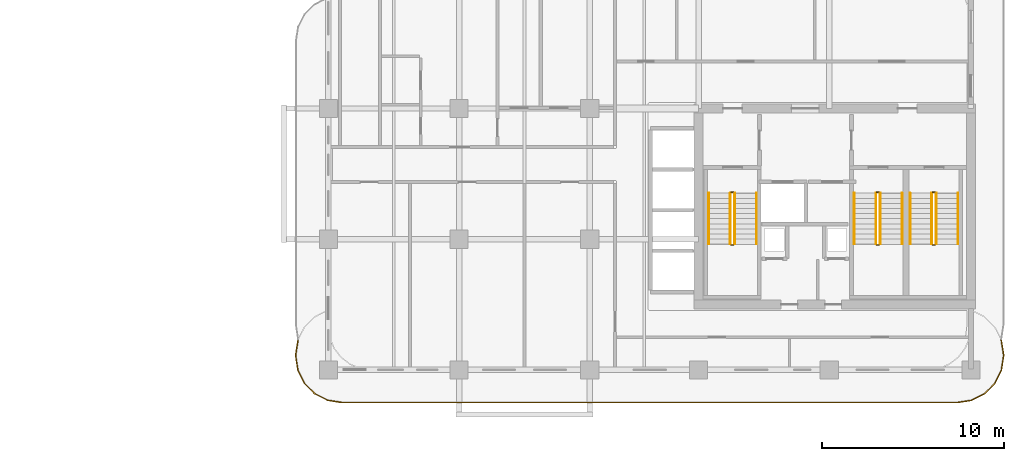
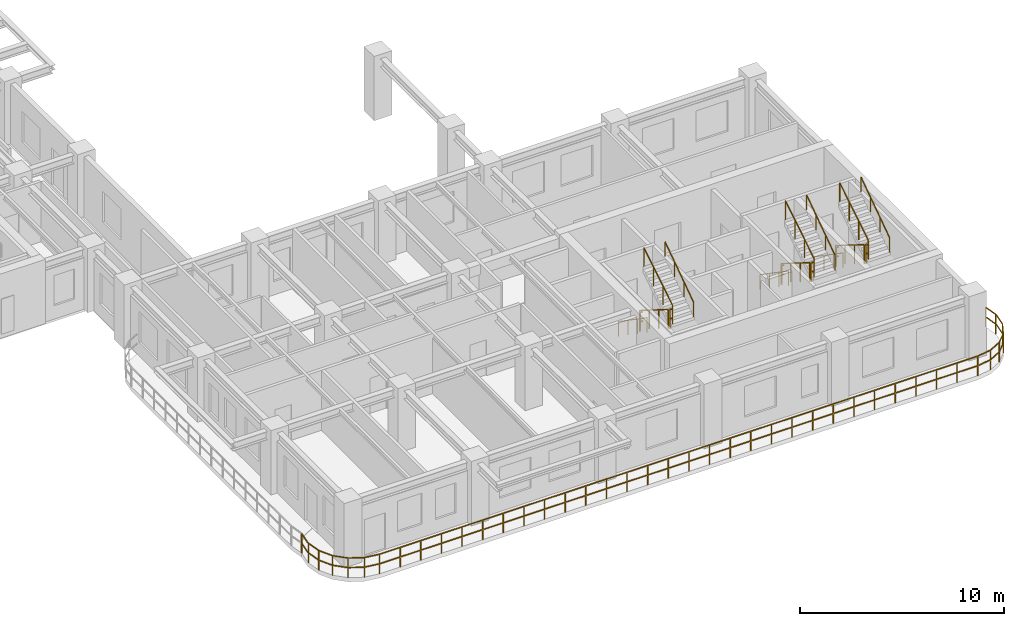
# One storey, part 11 of 13: 19 railings.
"""IFC4 building model written with IfcOpenShell, lengths in metres."""

from ifc_helpers import new_model, si_unit, derived_unit, direction, frame, origin, origin_2d, place, context, subcontext, project, spatial, rectangle, extrude, material, type_object, element, save


model = new_model("IFC4")

# Units and contexts
model_context = context("Model", 3, precision=1e-05, world=origin(), true_north=direction((0.0, 1.0)))
body_context = subcontext(model_context, "Body", "Model", "MODEL_VIEW")
ifc_project = project(units=[si_unit("LENGTHUNIT", "METRE"), si_unit("AREAUNIT", "SQUARE_METRE"), si_unit("VOLUMEUNIT", "CUBIC_METRE"), si_unit("PLANEANGLEUNIT", "RADIAN"), si_unit("MASSUNIT", "GRAM", prefix="KILO"), si_unit("THERMODYNAMICTEMPERATUREUNIT", "KELVIN"), si_unit("POWERUNIT", "WATT"), derived_unit("THERMALTRANSMITTANCEUNIT", [(si_unit("POWERUNIT", "WATT"), 1), (si_unit("AREAUNIT", "SQUARE_METRE"), -1), (si_unit("THERMODYNAMICTEMPERATUREUNIT", "KELVIN"), -1)])], contexts=[model_context])

# Site, building, storey
site_placement = place(None, origin())
site = spatial("IfcSite", under=ifc_project, at=site_placement, CompositionType="ELEMENT")
building_placement = place(site_placement, origin())
building = spatial("IfcBuilding", under=site, at=building_placement, Name="Zahravan Archway Hotel and Residences", CompositionType="ELEMENT")
storey_placement = place(building_placement, frame((0.0, 0.0, 181.10009765625)))
storey = spatial("IfcBuildingStorey", under=building, at=storey_placement, Name="L45", CompositionType="ELEMENT", Elevation=181.10009765625)

# Railings
ifc_material_1 = material(Name="Bronze & Laminated Glass Balustrade", Category="glass")
railing_type_1 = type_object("IfcRailingType", Name="RL-BAL-1200", PredefinedType="BALUSTRADE", material=ifc_material_1)
railing_1_placement = place(storey_placement, frame((51.47509765625, 1.637939453125, 0.0)))
element("IfcRailing", 1, at=railing_1_placement, inside=storey, type_object=railing_type_1, Name="L45 Balustrade RL-SLB-BAL-L45-SA-1", PredefinedType="BALUSTRADE", context=body_context, shape_type="SweptSolid", body=[
    extrude(rectangle(XDim=0.048095703125, YDim=0.048095703125, at=origin_2d()), frame((0.0, 0.0, 1.17578125), z_axis=(0.156701202656, -0.987646056584, 0.0), x_axis=(0.987646056584, 0.156701202656, 0.0)), (0.0, 0.0, 1.0), 0.797607421875),
    extrude(rectangle(XDim=0.048095703125, YDim=0.048095703125, at=origin_2d()), frame((0.0, 0.0, 0.60009765625), z_axis=(0.156701202656, -0.987646056584, 0.0), x_axis=(0.987646056584, 0.156701202656, 0.0)), (0.0, 0.0, 1.0), 0.797607421875),
    extrude(rectangle(XDim=0.048095703125, YDim=0.048095703125, at=origin_2d()), frame((0.125, -0.787841796875, 1.17578125), z_axis=(0.0, -1.0, 0.0), x_axis=(1.0, 0.0, 0.0)), (0.0, 0.0, 1.0), 0.10009765625),
    extrude(rectangle(XDim=0.048095703125, YDim=0.048095703125, at=origin_2d()), frame((0.125, -0.787841796875, 0.60009765625), z_axis=(0.0, -1.0, 0.0), x_axis=(1.0, 0.0, 0.0)), (0.0, 0.0, 1.0), 0.10009765625),
    extrude(rectangle(XDim=0.048095703125, YDim=0.048095703125, at=origin_2d()), frame((0.125, -0.887939453125, 1.17578125), z_axis=(-0.156653849773, -0.98765356849, 0.0), x_axis=(0.98765356849, -0.156653849773, 0.0)), (0.0, 0.0, 1.0), 0.7978515625),
    extrude(rectangle(XDim=0.048095703125, YDim=0.048095703125, at=origin_2d()), frame((0.125, -0.887939453125, 0.60009765625), z_axis=(-0.156653849773, -0.98765356849, 0.0), x_axis=(0.98765356849, -0.156653849773, 0.0)), (0.0, 0.0, 1.0), 0.7978515625),
    extrude(rectangle(XDim=0.048095703125, YDim=0.048095703125, at=origin_2d()), frame((0.0, -1.676025390625, 1.17578125), z_axis=(-0.453934952053, -0.891034824967, 0.0), x_axis=(0.891034824967, -0.453934952053, 0.0)), (0.0, 0.0, 1.0), 0.797607421875),
    extrude(rectangle(XDim=0.048095703125, YDim=0.048095703125, at=origin_2d()), frame((0.0, -1.676025390625, 0.60009765625), z_axis=(-0.453934952053, -0.891034824967, 0.0), x_axis=(0.891034824967, -0.453934952053, 0.0)), (0.0, 0.0, 1.0), 0.797607421875),
    extrude(rectangle(XDim=0.048095703125, YDim=0.048095703125, at=origin_2d()), frame((-0.362060546875, -2.38671875, 1.17578125), z_axis=(-0.707106781187, -0.707106781187, 0.0), x_axis=(0.707106781187, -0.707106781187, 0.0)), (0.0, 0.0, 1.0), 0.7978515625),
    extrude(rectangle(XDim=0.048095703125, YDim=0.048095703125, at=origin_2d()), frame((-0.362060546875, -2.38671875, 0.60009765625), z_axis=(-0.707106781187, -0.707106781187, 0.0), x_axis=(0.707106781187, -0.707106781187, 0.0)), (0.0, 0.0, 1.0), 0.7978515625),
    extrude(rectangle(XDim=0.048095703125, YDim=0.048095703125, at=origin_2d()), frame((-0.92626953125, -2.950927734375, 1.17578125), z_axis=(-0.890974108706, -0.454054113091, 0.0), x_axis=(0.454054113091, -0.890974108706, 0.0)), (0.0, 0.0, 1.0), 0.7978515625),
    extrude(rectangle(XDim=0.048095703125, YDim=0.048095703125, at=origin_2d()), frame((-0.92626953125, -2.950927734375, 0.60009765625), z_axis=(-0.890974108706, -0.454054113091, 0.0), x_axis=(0.454054113091, -0.890974108706, 0.0)), (0.0, 0.0, 1.0), 0.7978515625),
    extrude(rectangle(XDim=0.048095703125, YDim=0.048095703125, at=origin_2d()), frame((-1.63720703125, -3.313232421875, 1.17578125), z_axis=(-0.987693380745, -0.156402639467, 0.0), x_axis=(0.156402639467, -0.987693380745, 0.0)), (0.0, 0.0, 1.0), 0.797607421875),
    extrude(rectangle(XDim=0.048095703125, YDim=0.048095703125, at=origin_2d()), frame((-1.63720703125, -3.313232421875, 0.60009765625), z_axis=(-0.987693380745, -0.156402639467, 0.0), x_axis=(0.156402639467, -0.987693380745, 0.0)), (0.0, 0.0, 1.0), 0.797607421875),
    extrude(rectangle(XDim=0.048095703125, YDim=0.048095703125, at=origin_2d()), frame((-2.425048828125, -3.43798828125, 1.17578125), z_axis=(-1.0, 0.0, 0.0), x_axis=(0.0, -1.0, 0.0)), (0.0, 0.0, 1.0), 33.900146484375),
    extrude(rectangle(XDim=0.048095703125, YDim=0.048095703125, at=origin_2d()), frame((-2.425048828125, -3.43798828125, 0.60009765625), z_axis=(-1.0, 0.0, 0.0), x_axis=(0.0, -1.0, 0.0)), (0.0, 0.0, 1.0), 33.900146484375),
    extrude(rectangle(XDim=0.048095703125, YDim=0.048095703125, at=origin_2d()), frame((-36.3251953125, -3.43798828125, 1.17578125), z_axis=(-0.987693380745, 0.156402639467, 0.0), x_axis=(-0.156402639467, -0.987693380745, 0.0)), (0.0, 0.0, 1.0), 0.797607421875),
    extrude(rectangle(XDim=0.048095703125, YDim=0.048095703125, at=origin_2d()), frame((-36.3251953125, -3.43798828125, 0.60009765625), z_axis=(-0.987693380745, 0.156402639467, 0.0), x_axis=(-0.156402639467, -0.987693380745, 0.0)), (0.0, 0.0, 1.0), 0.797607421875),
    extrude(rectangle(XDim=0.048095703125, YDim=0.048095703125, at=origin_2d()), frame((-37.113037109375, -3.313232421875, 1.17578125), z_axis=(-0.890974108706, 0.454054113091, 0.0), x_axis=(-0.454054113091, -0.890974108706, 0.0)), (0.0, 0.0, 1.0), 0.7978515625),
    extrude(rectangle(XDim=0.048095703125, YDim=0.048095703125, at=origin_2d()), frame((-37.113037109375, -3.313232421875, 0.60009765625), z_axis=(-0.890974108706, 0.454054113091, 0.0), x_axis=(-0.454054113091, -0.890974108706, 0.0)), (0.0, 0.0, 1.0), 0.7978515625),
    extrude(rectangle(XDim=0.048095703125, YDim=0.048095703125, at=origin_2d()), frame((-37.823974609375, -2.950927734375, 1.17578125), z_axis=(-0.707106781187, 0.707106781187, 0.0), x_axis=(-0.707106781187, -0.707106781187, 0.0)), (0.0, 0.0, 1.0), 0.7978515625),
    extrude(rectangle(XDim=0.048095703125, YDim=0.048095703125, at=origin_2d()), frame((-37.823974609375, -2.950927734375, 0.60009765625), z_axis=(-0.707106781187, 0.707106781187, 0.0), x_axis=(-0.707106781187, -0.707106781187, 0.0)), (0.0, 0.0, 1.0), 0.7978515625),
    extrude(rectangle(XDim=0.048095703125, YDim=0.048095703125, at=origin_2d()), frame((-38.38818359375, -2.38671875, 1.17578125), z_axis=(-0.453934952053, 0.891034824967, 0.0), x_axis=(-0.891034824967, -0.453934952053, 0.0)), (0.0, 0.0, 1.0), 0.797607421875),
    extrude(rectangle(XDim=0.048095703125, YDim=0.048095703125, at=origin_2d()), frame((-38.38818359375, -2.38671875, 0.60009765625), z_axis=(-0.453934952053, 0.891034824967, 0.0), x_axis=(-0.891034824967, -0.453934952053, 0.0)), (0.0, 0.0, 1.0), 0.797607421875),
    extrude(rectangle(XDim=0.048095703125, YDim=0.048095703125, at=origin_2d()), frame((-38.750244140625, -1.676025390625, 1.17578125), z_axis=(-0.156355372278, 0.987700864412, 0.0), x_axis=(-0.987700864412, -0.156355372278, 0.0)), (0.0, 0.0, 1.0), 0.7978515625),
    extrude(rectangle(XDim=0.048095703125, YDim=0.048095703125, at=origin_2d()), frame((-38.750244140625, -1.676025390625, 0.60009765625), z_axis=(-0.156355372278, 0.987700864412, 0.0), x_axis=(-0.987700864412, -0.156355372278, 0.0)), (0.0, 0.0, 1.0), 0.7978515625),
    extrude(rectangle(XDim=0.048095703125, YDim=0.048095703125, at=origin_2d()), frame((-38.875, -0.887939453125, 1.17578125), z_axis=(0.0, 1.0, 0.0), x_axis=(-1.0, 0.0, 0.0)), (0.0, 0.0, 1.0), 0.10009765625),
    extrude(rectangle(XDim=0.048095703125, YDim=0.048095703125, at=origin_2d()), frame((-38.875, -0.887939453125, 0.60009765625), z_axis=(0.0, 1.0, 0.0), x_axis=(-1.0, 0.0, 0.0)), (0.0, 0.0, 1.0), 0.10009765625),
    extrude(rectangle(XDim=0.048095703125, YDim=0.048095703125, at=origin_2d()), frame((-38.875, -0.787841796875, 1.17578125), z_axis=(0.156402639467, 0.987693380745, 0.0), x_axis=(-0.987693380745, 0.156402639467, 0.0)), (0.0, 0.0, 1.0), 0.797607421875),
    extrude(rectangle(XDim=0.048095703125, YDim=0.048095703125, at=origin_2d()), frame((-38.875, -0.787841796875, 0.60009765625), z_axis=(0.156402639467, 0.987693380745, 0.0), x_axis=(-0.987693380745, 0.156402639467, 0.0)), (0.0, 0.0, 1.0), 0.797607421875),
    extrude(rectangle(XDim=0.0419921875, YDim=0.0419921875, at=origin_2d()), origin(), (0.0, 0.0, 1.0), 1.15185546875),
    extrude(rectangle(XDim=0.0419921875, YDim=0.0419921875, at=origin_2d()), frame((0.125, -0.787841796875, 0.0)), (0.0, 0.0, 1.0), 1.15185546875),
    extrude(rectangle(XDim=0.0419921875, YDim=0.0419921875, at=origin_2d()), frame((0.0, -1.676025390625, 0.0)), (0.0, 0.0, 1.0), 1.15185546875),
    extrude(rectangle(XDim=0.0419921875, YDim=0.0419921875, at=origin_2d()), frame((-0.362060546875, -2.38671875, 0.0)), (0.0, 0.0, 1.0), 1.15185546875),
    extrude(rectangle(XDim=0.0419921875, YDim=0.0419921875, at=origin_2d()), frame((-0.92626953125, -2.950927734375, 0.0)), (0.0, 0.0, 1.0), 1.15185546875),
    extrude(rectangle(XDim=0.0419921875, YDim=0.0419921875, at=origin_2d()), frame((-1.63720703125, -3.313232421875, 0.0)), (0.0, 0.0, 1.0), 1.15185546875),
    extrude(rectangle(XDim=0.0419921875, YDim=0.0419921875, at=origin_2d()), frame((-2.425048828125, -3.43798828125, 0.0)), (0.0, 0.0, 1.0), 1.15185546875),
    extrude(rectangle(XDim=0.0419921875, YDim=0.0419921875, at=origin_2d()), frame((-3.593994140625, -3.43798828125, 0.0)), (0.0, 0.0, 1.0), 1.15185546875),
    extrude(rectangle(XDim=0.0419921875, YDim=0.0419921875, at=origin_2d()), frame((-4.762939453125, -3.43798828125, 0.0)), (0.0, 0.0, 1.0), 1.15185546875),
    extrude(rectangle(XDim=0.0419921875, YDim=0.0419921875, at=origin_2d()), frame((-5.931884765625, -3.43798828125, 0.0)), (0.0, 0.0, 1.0), 1.15185546875),
    extrude(rectangle(XDim=0.0419921875, YDim=0.0419921875, at=origin_2d()), frame((-7.100830078125, -3.43798828125, 0.0)), (0.0, 0.0, 1.0), 1.15185546875),
    extrude(rectangle(XDim=0.0419921875, YDim=0.0419921875, at=origin_2d()), frame((-8.27001953125, -3.43798828125, 0.0)), (0.0, 0.0, 1.0), 1.15185546875),
    extrude(rectangle(XDim=0.0419921875, YDim=0.0419921875, at=origin_2d()), frame((-9.43896484375, -3.43798828125, 0.0)), (0.0, 0.0, 1.0), 1.15185546875),
    extrude(rectangle(XDim=0.0419921875, YDim=0.0419921875, at=origin_2d()), frame((-10.60791015625, -3.43798828125, 0.0)), (0.0, 0.0, 1.0), 1.15185546875),
    extrude(rectangle(XDim=0.0419921875, YDim=0.0419921875, at=origin_2d()), frame((-11.77685546875, -3.43798828125, 0.0)), (0.0, 0.0, 1.0), 1.15185546875),
    extrude(rectangle(XDim=0.0419921875, YDim=0.0419921875, at=origin_2d()), frame((-12.94580078125, -3.43798828125, 0.0)), (0.0, 0.0, 1.0), 1.15185546875),
    extrude(rectangle(XDim=0.0419921875, YDim=0.0419921875, at=origin_2d()), frame((-14.11474609375, -3.43798828125, 0.0)), (0.0, 0.0, 1.0), 1.15185546875),
    extrude(rectangle(XDim=0.0419921875, YDim=0.0419921875, at=origin_2d()), frame((-15.28369140625, -3.43798828125, 0.0)), (0.0, 0.0, 1.0), 1.15185546875),
    extrude(rectangle(XDim=0.0419921875, YDim=0.0419921875, at=origin_2d()), frame((-16.45263671875, -3.43798828125, 0.0)), (0.0, 0.0, 1.0), 1.15185546875),
    extrude(rectangle(XDim=0.0419921875, YDim=0.0419921875, at=origin_2d()), frame((-17.62158203125, -3.43798828125, 0.0)), (0.0, 0.0, 1.0), 1.15185546875),
    extrude(rectangle(XDim=0.0419921875, YDim=0.0419921875, at=origin_2d()), frame((-18.79052734375, -3.43798828125, 0.0)), (0.0, 0.0, 1.0), 1.15185546875),
    extrude(rectangle(XDim=0.0419921875, YDim=0.0419921875, at=origin_2d()), frame((-19.959716796875, -3.43798828125, 0.0)), (0.0, 0.0, 1.0), 1.15185546875),
    extrude(rectangle(XDim=0.0419921875, YDim=0.0419921875, at=origin_2d()), frame((-21.128662109375, -3.43798828125, 0.0)), (0.0, 0.0, 1.0), 1.15185546875),
    extrude(rectangle(XDim=0.0419921875, YDim=0.0419921875, at=origin_2d()), frame((-22.297607421875, -3.43798828125, 0.0)), (0.0, 0.0, 1.0), 1.15185546875),
    extrude(rectangle(XDim=0.0419921875, YDim=0.0419921875, at=origin_2d()), frame((-23.466552734375, -3.43798828125, 0.0)), (0.0, 0.0, 1.0), 1.15185546875),
    extrude(rectangle(XDim=0.0419921875, YDim=0.0419921875, at=origin_2d()), frame((-24.635498046875, -3.43798828125, 0.0)), (0.0, 0.0, 1.0), 1.15185546875),
    extrude(rectangle(XDim=0.0419921875, YDim=0.0419921875, at=origin_2d()), frame((-25.804443359375, -3.43798828125, 0.0)), (0.0, 0.0, 1.0), 1.15185546875),
    extrude(rectangle(XDim=0.0419921875, YDim=0.0419921875, at=origin_2d()), frame((-26.973388671875, -3.43798828125, 0.0)), (0.0, 0.0, 1.0), 1.15185546875),
    extrude(rectangle(XDim=0.0419921875, YDim=0.0419921875, at=origin_2d()), frame((-28.142333984375, -3.43798828125, 0.0)), (0.0, 0.0, 1.0), 1.15185546875),
    extrude(rectangle(XDim=0.0419921875, YDim=0.0419921875, at=origin_2d()), frame((-29.311279296875, -3.43798828125, 0.0)), (0.0, 0.0, 1.0), 1.15185546875),
    extrude(rectangle(XDim=0.0419921875, YDim=0.0419921875, at=origin_2d()), frame((-30.480224609375, -3.43798828125, 0.0)), (0.0, 0.0, 1.0), 1.15185546875),
    extrude(rectangle(XDim=0.0419921875, YDim=0.0419921875, at=origin_2d()), frame((-31.6494140625, -3.43798828125, 0.0)), (0.0, 0.0, 1.0), 1.15185546875),
    extrude(rectangle(XDim=0.0419921875, YDim=0.0419921875, at=origin_2d()), frame((-32.818359375, -3.43798828125, 0.0)), (0.0, 0.0, 1.0), 1.15185546875),
    extrude(rectangle(XDim=0.0419921875, YDim=0.0419921875, at=origin_2d()), frame((-33.9873046875, -3.43798828125, 0.0)), (0.0, 0.0, 1.0), 1.15185546875),
    extrude(rectangle(XDim=0.0419921875, YDim=0.0419921875, at=origin_2d()), frame((-35.15625, -3.43798828125, 0.0)), (0.0, 0.0, 1.0), 1.15185546875),
    extrude(rectangle(XDim=0.0419921875, YDim=0.0419921875, at=origin_2d()), frame((-36.3251953125, -3.43798828125, 0.0)), (0.0, 0.0, 1.0), 1.15185546875),
    extrude(rectangle(XDim=0.0419921875, YDim=0.0419921875, at=origin_2d()), frame((-37.113037109375, -3.313232421875, 0.0)), (0.0, 0.0, 1.0), 1.15185546875),
    extrude(rectangle(XDim=0.0419921875, YDim=0.0419921875, at=origin_2d()), frame((-37.823974609375, -2.950927734375, 0.0)), (0.0, 0.0, 1.0), 1.15185546875),
    extrude(rectangle(XDim=0.0419921875, YDim=0.0419921875, at=origin_2d()), frame((-38.38818359375, -2.38671875, 0.0)), (0.0, 0.0, 1.0), 1.15185546875),
    extrude(rectangle(XDim=0.0419921875, YDim=0.0419921875, at=origin_2d()), frame((-38.750244140625, -1.676025390625, 0.0)), (0.0, 0.0, 1.0), 1.15185546875),
    extrude(rectangle(XDim=0.0419921875, YDim=0.0419921875, at=origin_2d()), frame((-38.875, -0.887939453125, 0.0)), (0.0, 0.0, 1.0), 1.15185546875),
    extrude(rectangle(XDim=0.0419921875, YDim=0.0419921875, at=origin_2d()), frame((-38.750244140625, 0.0, 0.0)), (0.0, 0.0, 1.0), 1.15185546875),
])
ifc_material_2 = material(Name="Painted Tubular Steel", Category="steel")
railing_type_2 = type_object("IfcRailingType", Name="RL-STG-1150", PredefinedType="GUARDRAIL", material=ifc_material_2)
railing_2_placement = place(storey_placement, frame((36.550048828125, 9.72998046875, 0.1748046875)))
element("IfcRailing", 2, at=railing_2_placement, inside=storey, type_object=railing_type_2, Name="L45 ST-A1 stair guard 1", PredefinedType="GUARDRAIL", context=body_context, shape_type="SweptSolid", body=[
    extrude(rectangle(XDim=0.048095703125, YDim=0.048095703125, at=origin_2d()), frame((0.0, 0.0, 1.1259765625), z_axis=(0.0, -0.848002457836, 0.529992293815), x_axis=(1.0, 0.0, 0.0)), (0.0, 0.0, 1.0), 3.302001953125),
    extrude(rectangle(XDim=0.0419921875, YDim=0.0419921875, at=origin_2d()), origin(), (0.0, 0.0, 1.0), 1.101806640625),
    extrude(rectangle(XDim=0.0419921875, YDim=0.0419921875, at=origin_2d()), frame((0.0, -0.933349609375, 0.583251953125)), (0.0, 0.0, 1.0), 1.101806640625),
    extrude(rectangle(XDim=0.0419921875, YDim=0.0419921875, at=origin_2d()), frame((0.0, -1.86669921875, 1.166748046875)), (0.0, 0.0, 1.0), 1.101806640625),
    extrude(rectangle(XDim=0.0419921875, YDim=0.0419921875, at=origin_2d()), frame((0.0, -2.800048828125, 1.75)), (0.0, 0.0, 1.0), 1.101806640625),
])
railing_3_placement = place(storey_placement, frame((36.60009765625, 6.8798828125, 1.9248046875)))
element("IfcRailing", 3, at=railing_3_placement, inside=storey, type_object=railing_type_2, Name="L45 ST-A1 stair guard 2", PredefinedType="GUARDRAIL", context=body_context, shape_type="SweptSolid", body=[
    extrude(rectangle(XDim=0.048095703125, YDim=0.048095703125, at=origin_2d()), frame((0.0, 0.0, 1.1259765625), z_axis=(1.0, 0.0, 0.0), x_axis=(0.0, 1.0, 0.0)), (0.0, 0.0, 1.0), 0.139892578125),
    extrude(rectangle(XDim=0.048095703125, YDim=0.048095703125, at=origin_2d()), frame((0.0, 0.0, 0.574951171875), z_axis=(1.0, 0.0, 0.0), x_axis=(0.0, 1.0, 0.0)), (0.0, 0.0, 1.0), 0.139892578125),
    extrude(rectangle(XDim=0.0419921875, YDim=0.0419921875, at=origin_2d()), origin(), (0.0, 0.0, 1.0), 1.101806640625),
])
railing_4_placement = place(storey_placement, frame((36.7900390625, 6.929931640625, 2.099853515625)))
element("IfcRailing", 4, at=railing_4_placement, inside=storey, type_object=railing_type_2, Name="L45 ST-A1 stair guard 3", PredefinedType="GUARDRAIL", context=body_context, shape_type="SweptSolid", body=[
    extrude(rectangle(XDim=0.048095703125, YDim=0.048095703125, at=origin_2d()), frame((0.0, 0.0, 1.1259765625), z_axis=(0.0, 0.848002457836, 0.529992293815), x_axis=(-1.0, 0.0, 0.0)), (0.0, 0.0, 1.0), 3.302001953125),
    extrude(rectangle(XDim=0.0419921875, YDim=0.0419921875, at=origin_2d()), origin(), (0.0, 0.0, 1.0), 1.101806640625),
    extrude(rectangle(XDim=0.0419921875, YDim=0.0419921875, at=origin_2d()), frame((0.0, 0.933349609375, 0.583251953125)), (0.0, 0.0, 1.0), 1.101806640625),
    extrude(rectangle(XDim=0.0419921875, YDim=0.0419921875, at=origin_2d()), frame((0.0, 1.86669921875, 1.166748046875)), (0.0, 0.0, 1.0), 1.101806640625),
    extrude(rectangle(XDim=0.0419921875, YDim=0.0419921875, at=origin_2d()), frame((0.0, 2.800048828125, 1.75)), (0.0, 0.0, 1.0), 1.101806640625),
])
railing_5_placement = place(storey_placement, frame((36.60009765625, 9.780029296875, 0.0)))
element("IfcRailing", 5, at=railing_5_placement, inside=storey, type_object=railing_type_2, Name="L45 ST-A1 stair guard 4", PredefinedType="GUARDRAIL", context=body_context, shape_type="SweptSolid", body=[
    extrude(rectangle(XDim=0.048095703125, YDim=0.048095703125, at=origin_2d()), frame((0.0, 0.0, 1.1259765625), z_axis=(1.0, 0.0, 0.0), x_axis=(0.0, 1.0, 0.0)), (0.0, 0.0, 1.0), 0.139892578125),
    extrude(rectangle(XDim=0.048095703125, YDim=0.048095703125, at=origin_2d()), frame((0.0, 0.0, 0.574951171875), z_axis=(1.0, 0.0, 0.0), x_axis=(0.0, 1.0, 0.0)), (0.0, 0.0, 1.0), 0.139892578125),
    extrude(rectangle(XDim=0.0419921875, YDim=0.0419921875, at=origin_2d()), origin(), (0.0, 0.0, 1.0), 1.101806640625),
])
railing_6_placement = place(storey_placement, frame((44.570068359375, 9.72998046875, 0.1748046875)))
element("IfcRailing", 6, at=railing_6_placement, inside=storey, type_object=railing_type_2, Name="L45 ST-A2 stair guard 1", PredefinedType="GUARDRAIL", context=body_context, shape_type="SweptSolid", body=[
    extrude(rectangle(XDim=0.048095703125, YDim=0.048095703125, at=origin_2d()), frame((0.0, 0.0, 1.1259765625), z_axis=(0.0, -0.848002457836, 0.529992293815), x_axis=(1.0, 0.0, 0.0)), (0.0, 0.0, 1.0), 3.302001953125),
    extrude(rectangle(XDim=0.0419921875, YDim=0.0419921875, at=origin_2d()), origin(), (0.0, 0.0, 1.0), 1.101806640625),
    extrude(rectangle(XDim=0.0419921875, YDim=0.0419921875, at=origin_2d()), frame((0.0, -0.933349609375, 0.583251953125)), (0.0, 0.0, 1.0), 1.101806640625),
    extrude(rectangle(XDim=0.0419921875, YDim=0.0419921875, at=origin_2d()), frame((0.0, -1.86669921875, 1.166748046875)), (0.0, 0.0, 1.0), 1.101806640625),
    extrude(rectangle(XDim=0.0419921875, YDim=0.0419921875, at=origin_2d()), frame((0.0, -2.800048828125, 1.75)), (0.0, 0.0, 1.0), 1.101806640625),
])
railing_7_placement = place(storey_placement, frame((44.6201171875, 6.8798828125, 1.9248046875)))
element("IfcRailing", 7, at=railing_7_placement, inside=storey, type_object=railing_type_2, Name="L45 ST-A2 stair guard 2", PredefinedType="GUARDRAIL", context=body_context, shape_type="SweptSolid", body=[
    extrude(rectangle(XDim=0.048095703125, YDim=0.048095703125, at=origin_2d()), frame((0.0, 0.0, 1.1259765625), z_axis=(1.0, 0.0, 0.0), x_axis=(0.0, 1.0, 0.0)), (0.0, 0.0, 1.0), 0.139892578125),
    extrude(rectangle(XDim=0.048095703125, YDim=0.048095703125, at=origin_2d()), frame((0.0, 0.0, 0.574951171875), z_axis=(1.0, 0.0, 0.0), x_axis=(0.0, 1.0, 0.0)), (0.0, 0.0, 1.0), 0.139892578125),
    extrude(rectangle(XDim=0.0419921875, YDim=0.0419921875, at=origin_2d()), origin(), (0.0, 0.0, 1.0), 1.101806640625),
])
railing_8_placement = place(storey_placement, frame((44.81005859375, 6.929931640625, 2.099853515625)))
element("IfcRailing", 8, at=railing_8_placement, inside=storey, type_object=railing_type_2, Name="L45 ST-A2 stair guard 3", PredefinedType="GUARDRAIL", context=body_context, shape_type="SweptSolid", body=[
    extrude(rectangle(XDim=0.048095703125, YDim=0.048095703125, at=origin_2d()), frame((0.0, 0.0, 1.1259765625), z_axis=(0.0, 0.848002457836, 0.529992293815), x_axis=(-1.0, 0.0, 0.0)), (0.0, 0.0, 1.0), 3.302001953125),
    extrude(rectangle(XDim=0.0419921875, YDim=0.0419921875, at=origin_2d()), origin(), (0.0, 0.0, 1.0), 1.101806640625),
    extrude(rectangle(XDim=0.0419921875, YDim=0.0419921875, at=origin_2d()), frame((0.0, 0.933349609375, 0.583251953125)), (0.0, 0.0, 1.0), 1.101806640625),
    extrude(rectangle(XDim=0.0419921875, YDim=0.0419921875, at=origin_2d()), frame((0.0, 1.86669921875, 1.166748046875)), (0.0, 0.0, 1.0), 1.101806640625),
    extrude(rectangle(XDim=0.0419921875, YDim=0.0419921875, at=origin_2d()), frame((0.0, 2.800048828125, 1.75)), (0.0, 0.0, 1.0), 1.101806640625),
])
railing_9_placement = place(storey_placement, frame((44.6201171875, 9.780029296875, 0.0)))
element("IfcRailing", 9, at=railing_9_placement, inside=storey, type_object=railing_type_2, Name="L45 ST-A2 stair guard 4", PredefinedType="GUARDRAIL", context=body_context, shape_type="SweptSolid", body=[
    extrude(rectangle(XDim=0.048095703125, YDim=0.048095703125, at=origin_2d()), frame((0.0, 0.0, 1.1259765625), z_axis=(1.0, 0.0, 0.0), x_axis=(0.0, 1.0, 0.0)), (0.0, 0.0, 1.0), 0.139892578125),
    extrude(rectangle(XDim=0.048095703125, YDim=0.048095703125, at=origin_2d()), frame((0.0, 0.0, 0.574951171875), z_axis=(1.0, 0.0, 0.0), x_axis=(0.0, 1.0, 0.0)), (0.0, 0.0, 1.0), 0.139892578125),
    extrude(rectangle(XDim=0.0419921875, YDim=0.0419921875, at=origin_2d()), origin(), (0.0, 0.0, 1.0), 1.101806640625),
])
railing_10_placement = place(storey_placement, frame((47.64990234375, 9.72998046875, 0.1748046875)))
element("IfcRailing", 10, at=railing_10_placement, inside=storey, type_object=railing_type_2, Name="L45 ST-A3 stair guard 1", PredefinedType="GUARDRAIL", context=body_context, shape_type="SweptSolid", body=[
    extrude(rectangle(XDim=0.048095703125, YDim=0.048095703125, at=origin_2d()), frame((0.0, 0.0, 1.1259765625), z_axis=(0.0, -0.848002457836, 0.529992293815), x_axis=(1.0, 0.0, 0.0)), (0.0, 0.0, 1.0), 3.302001953125),
    extrude(rectangle(XDim=0.0419921875, YDim=0.0419921875, at=origin_2d()), origin(), (0.0, 0.0, 1.0), 1.101806640625),
    extrude(rectangle(XDim=0.0419921875, YDim=0.0419921875, at=origin_2d()), frame((0.0, -0.933349609375, 0.583251953125)), (0.0, 0.0, 1.0), 1.101806640625),
    extrude(rectangle(XDim=0.0419921875, YDim=0.0419921875, at=origin_2d()), frame((0.0, -1.86669921875, 1.166748046875)), (0.0, 0.0, 1.0), 1.101806640625),
    extrude(rectangle(XDim=0.0419921875, YDim=0.0419921875, at=origin_2d()), frame((0.0, -2.800048828125, 1.75)), (0.0, 0.0, 1.0), 1.101806640625),
])
railing_11_placement = place(storey_placement, frame((47.699951171875, 6.8798828125, 1.9248046875)))
element("IfcRailing", 11, at=railing_11_placement, inside=storey, type_object=railing_type_2, Name="L45 ST-A3 stair guard 2", PredefinedType="GUARDRAIL", context=body_context, shape_type="SweptSolid", body=[
    extrude(rectangle(XDim=0.048095703125, YDim=0.048095703125, at=origin_2d()), frame((0.0, 0.0, 1.1259765625), z_axis=(1.0, 0.0, 0.0), x_axis=(0.0, 1.0, 0.0)), (0.0, 0.0, 1.0), 0.14013671875),
    extrude(rectangle(XDim=0.048095703125, YDim=0.048095703125, at=origin_2d()), frame((0.0, 0.0, 0.574951171875), z_axis=(1.0, 0.0, 0.0), x_axis=(0.0, 1.0, 0.0)), (0.0, 0.0, 1.0), 0.14013671875),
    extrude(rectangle(XDim=0.0419921875, YDim=0.0419921875, at=origin_2d()), origin(), (0.0, 0.0, 1.0), 1.101806640625),
])
railing_12_placement = place(storey_placement, frame((47.889892578125, 6.929931640625, 2.099853515625)))
element("IfcRailing", 12, at=railing_12_placement, inside=storey, type_object=railing_type_2, Name="L45 ST-A3 stair guard 3", PredefinedType="GUARDRAIL", context=body_context, shape_type="SweptSolid", body=[
    extrude(rectangle(XDim=0.048095703125, YDim=0.048095703125, at=origin_2d()), frame((0.0, 0.0, 1.1259765625), z_axis=(0.0, 0.848002457836, 0.529992293815), x_axis=(-1.0, 0.0, 0.0)), (0.0, 0.0, 1.0), 3.302001953125),
    extrude(rectangle(XDim=0.0419921875, YDim=0.0419921875, at=origin_2d()), origin(), (0.0, 0.0, 1.0), 1.101806640625),
    extrude(rectangle(XDim=0.0419921875, YDim=0.0419921875, at=origin_2d()), frame((0.0, 0.933349609375, 0.583251953125)), (0.0, 0.0, 1.0), 1.101806640625),
    extrude(rectangle(XDim=0.0419921875, YDim=0.0419921875, at=origin_2d()), frame((0.0, 1.86669921875, 1.166748046875)), (0.0, 0.0, 1.0), 1.101806640625),
    extrude(rectangle(XDim=0.0419921875, YDim=0.0419921875, at=origin_2d()), frame((0.0, 2.800048828125, 1.75)), (0.0, 0.0, 1.0), 1.101806640625),
])
railing_13_placement = place(storey_placement, frame((47.699951171875, 9.780029296875, 0.0)))
element("IfcRailing", 13, at=railing_13_placement, inside=storey, type_object=railing_type_2, Name="L45 ST-A3 stair guard 4", PredefinedType="GUARDRAIL", context=body_context, shape_type="SweptSolid", body=[
    extrude(rectangle(XDim=0.048095703125, YDim=0.048095703125, at=origin_2d()), frame((0.0, 0.0, 1.1259765625), z_axis=(1.0, 0.0, 0.0), x_axis=(0.0, 1.0, 0.0)), (0.0, 0.0, 1.0), 0.14013671875),
    extrude(rectangle(XDim=0.048095703125, YDim=0.048095703125, at=origin_2d()), frame((0.0, 0.0, 0.574951171875), z_axis=(1.0, 0.0, 0.0), x_axis=(0.0, 1.0, 0.0)), (0.0, 0.0, 1.0), 0.14013671875),
    extrude(rectangle(XDim=0.0419921875, YDim=0.0419921875, at=origin_2d()), origin(), (0.0, 0.0, 1.0), 1.101806640625),
])
ifc_material_3 = material(Name="Brushed Stainless Steel", Category="steel")
railing_type_3 = type_object("IfcRailingType", Name="RL-STH-900", PredefinedType="HANDRAIL", material=ifc_material_3)
railing_14_placement = place(storey_placement, frame((35.35009765625, 9.72998046875, 0.1748046875)))
element("IfcRailing", 14, at=railing_14_placement, inside=storey, type_object=railing_type_3, Name="L45 ST-A1 stair handrail 1", PredefinedType="HANDRAIL", context=body_context, shape_type="SweptSolid", body=[
    extrude(rectangle(XDim=0.048095703125, YDim=0.048095703125, at=origin_2d()), frame((0.0, 0.0, 0.8759765625), z_axis=(0.0, -0.824039827795, 0.566531872191), x_axis=(1.0, 0.0, 0.0)), (0.0, 0.0, 1.0), 3.39794921875),
    extrude(rectangle(XDim=0.0419921875, YDim=0.0419921875, at=origin_2d()), origin(), (0.0, 0.0, 1.0), 0.851806640625),
    extrude(rectangle(XDim=0.0419921875, YDim=0.0419921875, at=origin_2d()), frame((0.0, -0.933349609375, 0.6416015625)), (0.0, 0.0, 1.0), 0.851806640625),
    extrude(rectangle(XDim=0.0419921875, YDim=0.0419921875, at=origin_2d()), frame((0.0, -1.86669921875, 1.283447265625)), (0.0, 0.0, 1.0), 0.851806640625),
    extrude(rectangle(XDim=0.0419921875, YDim=0.0419921875, at=origin_2d()), frame((0.0, -2.800048828125, 1.925048828125)), (0.0, 0.0, 1.0), 0.851806640625),
])
railing_15_placement = place(storey_placement, frame((37.989990234375, 6.929931640625, 2.099853515625)))
element("IfcRailing", 15, at=railing_15_placement, inside=storey, type_object=railing_type_3, Name="L45 ST-A1 stair handrail 2", PredefinedType="HANDRAIL", context=body_context, shape_type="SweptSolid", body=[
    extrude(rectangle(XDim=0.048095703125, YDim=0.048095703125, at=origin_2d()), frame((0.0, 0.0, 0.8759765625), z_axis=(0.0, 0.824039827795, 0.566531872191), x_axis=(-1.0, 0.0, 0.0)), (0.0, 0.0, 1.0), 3.39794921875),
    extrude(rectangle(XDim=0.0419921875, YDim=0.0419921875, at=origin_2d()), origin(), (0.0, 0.0, 1.0), 0.851806640625),
    extrude(rectangle(XDim=0.0419921875, YDim=0.0419921875, at=origin_2d()), frame((0.0, 0.933349609375, 0.6416015625)), (0.0, 0.0, 1.0), 0.851806640625),
    extrude(rectangle(XDim=0.0419921875, YDim=0.0419921875, at=origin_2d()), frame((0.0, 1.86669921875, 1.283447265625)), (0.0, 0.0, 1.0), 0.851806640625),
    extrude(rectangle(XDim=0.0419921875, YDim=0.0419921875, at=origin_2d()), frame((0.0, 2.800048828125, 1.925048828125)), (0.0, 0.0, 1.0), 0.851806640625),
])
railing_16_placement = place(storey_placement, frame((43.3701171875, 9.72998046875, 0.1748046875)))
element("IfcRailing", 16, at=railing_16_placement, inside=storey, type_object=railing_type_3, Name="L45 ST-A2 stair handrail 1", PredefinedType="HANDRAIL", context=body_context, shape_type="SweptSolid", body=[
    extrude(rectangle(XDim=0.048095703125, YDim=0.048095703125, at=origin_2d()), frame((0.0, 0.0, 0.8759765625), z_axis=(0.0, -0.824039827795, 0.566531872191), x_axis=(1.0, 0.0, 0.0)), (0.0, 0.0, 1.0), 3.39794921875),
    extrude(rectangle(XDim=0.0419921875, YDim=0.0419921875, at=origin_2d()), origin(), (0.0, 0.0, 1.0), 0.851806640625),
    extrude(rectangle(XDim=0.0419921875, YDim=0.0419921875, at=origin_2d()), frame((0.0, -0.933349609375, 0.6416015625)), (0.0, 0.0, 1.0), 0.851806640625),
    extrude(rectangle(XDim=0.0419921875, YDim=0.0419921875, at=origin_2d()), frame((0.0, -1.86669921875, 1.283447265625)), (0.0, 0.0, 1.0), 0.851806640625),
    extrude(rectangle(XDim=0.0419921875, YDim=0.0419921875, at=origin_2d()), frame((0.0, -2.800048828125, 1.925048828125)), (0.0, 0.0, 1.0), 0.851806640625),
])
railing_17_placement = place(storey_placement, frame((46.010009765625, 6.929931640625, 2.099853515625)))
element("IfcRailing", 17, at=railing_17_placement, inside=storey, type_object=railing_type_3, Name="L45 ST-A2 stair handrail 2", PredefinedType="HANDRAIL", context=body_context, shape_type="SweptSolid", body=[
    extrude(rectangle(XDim=0.048095703125, YDim=0.048095703125, at=origin_2d()), frame((0.0, 0.0, 0.8759765625), z_axis=(0.0, 0.824039827795, 0.566531872191), x_axis=(-1.0, 0.0, 0.0)), (0.0, 0.0, 1.0), 3.39794921875),
    extrude(rectangle(XDim=0.0419921875, YDim=0.0419921875, at=origin_2d()), origin(), (0.0, 0.0, 1.0), 0.851806640625),
    extrude(rectangle(XDim=0.0419921875, YDim=0.0419921875, at=origin_2d()), frame((0.0, 0.933349609375, 0.6416015625)), (0.0, 0.0, 1.0), 0.851806640625),
    extrude(rectangle(XDim=0.0419921875, YDim=0.0419921875, at=origin_2d()), frame((0.0, 1.86669921875, 1.283447265625)), (0.0, 0.0, 1.0), 0.851806640625),
    extrude(rectangle(XDim=0.0419921875, YDim=0.0419921875, at=origin_2d()), frame((0.0, 2.800048828125, 1.925048828125)), (0.0, 0.0, 1.0), 0.851806640625),
])
railing_18_placement = place(storey_placement, frame((46.449951171875, 9.72998046875, 0.1748046875)))
element("IfcRailing", 18, at=railing_18_placement, inside=storey, type_object=railing_type_3, Name="L45 ST-A3 stair handrail 1", PredefinedType="HANDRAIL", context=body_context, shape_type="SweptSolid", body=[
    extrude(rectangle(XDim=0.048095703125, YDim=0.048095703125, at=origin_2d()), frame((0.0, 0.0, 0.8759765625), z_axis=(0.0, -0.824039827795, 0.566531872191), x_axis=(1.0, 0.0, 0.0)), (0.0, 0.0, 1.0), 3.39794921875),
    extrude(rectangle(XDim=0.0419921875, YDim=0.0419921875, at=origin_2d()), origin(), (0.0, 0.0, 1.0), 0.851806640625),
    extrude(rectangle(XDim=0.0419921875, YDim=0.0419921875, at=origin_2d()), frame((0.0, -0.933349609375, 0.6416015625)), (0.0, 0.0, 1.0), 0.851806640625),
    extrude(rectangle(XDim=0.0419921875, YDim=0.0419921875, at=origin_2d()), frame((0.0, -1.86669921875, 1.283447265625)), (0.0, 0.0, 1.0), 0.851806640625),
    extrude(rectangle(XDim=0.0419921875, YDim=0.0419921875, at=origin_2d()), frame((0.0, -2.800048828125, 1.925048828125)), (0.0, 0.0, 1.0), 0.851806640625),
])
railing_19_placement = place(storey_placement, frame((49.090087890625, 6.929931640625, 2.099853515625)))
element("IfcRailing", 19, at=railing_19_placement, inside=storey, type_object=railing_type_3, Name="L45 ST-A3 stair handrail 2", PredefinedType="HANDRAIL", context=body_context, shape_type="SweptSolid", body=[
    extrude(rectangle(XDim=0.048095703125, YDim=0.048095703125, at=origin_2d()), frame((0.0, 0.0, 0.8759765625), z_axis=(0.0, 0.824039827795, 0.566531872191), x_axis=(-1.0, 0.0, 0.0)), (0.0, 0.0, 1.0), 3.39794921875),
    extrude(rectangle(XDim=0.0419921875, YDim=0.0419921875, at=origin_2d()), origin(), (0.0, 0.0, 1.0), 0.851806640625),
    extrude(rectangle(XDim=0.0419921875, YDim=0.0419921875, at=origin_2d()), frame((0.0, 0.933349609375, 0.6416015625)), (0.0, 0.0, 1.0), 0.851806640625),
    extrude(rectangle(XDim=0.0419921875, YDim=0.0419921875, at=origin_2d()), frame((0.0, 1.86669921875, 1.283447265625)), (0.0, 0.0, 1.0), 0.851806640625),
    extrude(rectangle(XDim=0.0419921875, YDim=0.0419921875, at=origin_2d()), frame((0.0, 2.800048828125, 1.925048828125)), (0.0, 0.0, 1.0), 0.851806640625),
])

save(model, "model.ifc")
